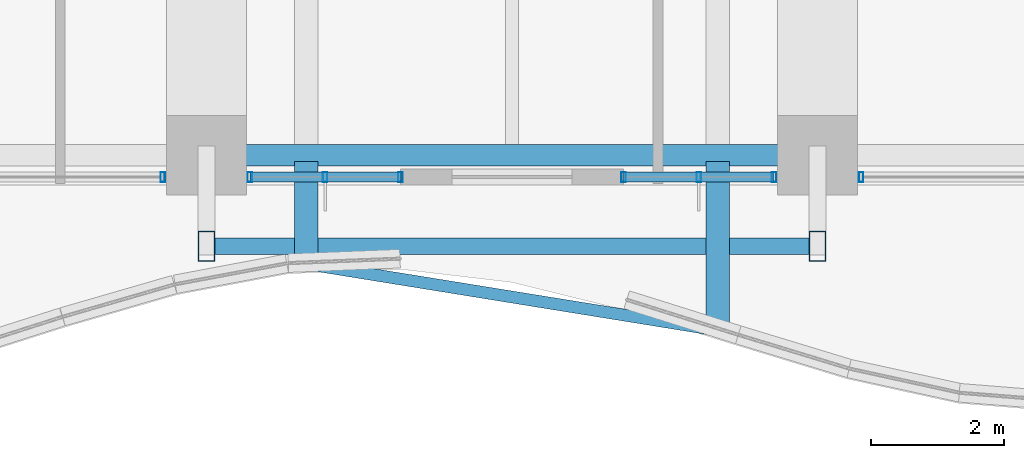
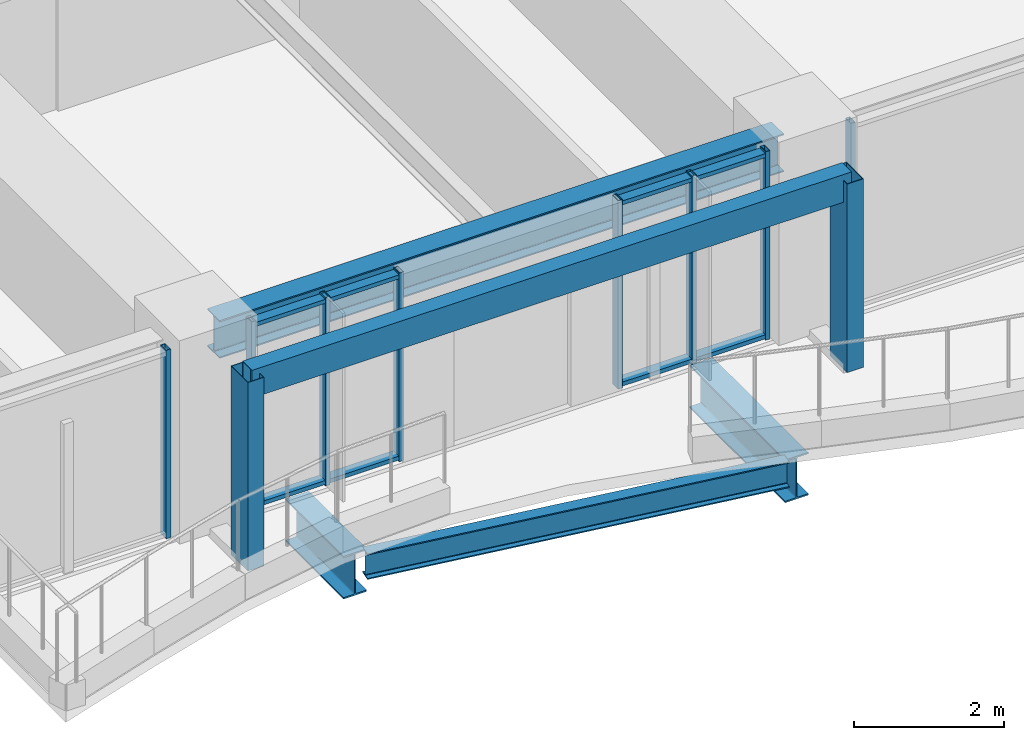
# One storey, part 5 of 37: 15 members, 4 beams, 4 elements without a shape of their own.
"""IFC4 building model written with IfcOpenShell, lengths in metres."""

from ifc_helpers import new_model, si_unit, direction, frame, origin, origin_2d, place, context, subcontext, project, spatial, hollow_rectangle, i_section, extrude, material, material_profile, profile_set, type_object, element, aggregate, save


model = new_model("IFC4")

# Units and contexts
model_context = context("Model", 3, precision=1e-05, world=origin(), true_north=direction((0.0, 1.0)))
body_context = subcontext(model_context, "Body", "Model", "MODEL_VIEW")
ifc_project = project(units=[si_unit("LENGTHUNIT", "METRE"), si_unit("AREAUNIT", "SQUARE_METRE"), si_unit("VOLUMEUNIT", "CUBIC_METRE"), si_unit("PLANEANGLEUNIT", "RADIAN"), si_unit("MASSUNIT", "GRAM", prefix="KILO")], contexts=[model_context])

# Site, building, storey
site_placement = place(None, origin())
site = spatial("IfcSite", under=ifc_project, at=site_placement, CompositionType="ELEMENT")
building_placement = place(site_placement, origin())
building = spatial("IfcBuilding", under=site, at=building_placement, Name="Kolvaren Belvedere", CompositionType="ELEMENT")
storey_placement = place(building_placement, frame((0.0, 0.0, 56.800048828125)))
storey = spatial("IfcBuildingStorey", under=building, at=storey_placement, Name="L16", CompositionType="ELEMENT", Elevation=56.800048828125)

# Beams
ifc_material_1 = material(Name="Structural steel ASTM A992 Grade 50", Category="steel")
ifc_material_profile_1 = material_profile(ifc_material_1, i_section(OverallWidth=0.35498046875, OverallDepth=0.696044921875, WebThickness=0.015380859375, FlangeThickness=0.02490234375, FilletRadius=0.02197265625, at=origin_2d()), Name="W27X146")
ifc_profile_set_1 = profile_set([ifc_material_profile_1], Name="Structural steel ASTM A992 Grade 50")
beam_type_1 = type_object("IfcBeamType", Name="BM-CANT-BAL", PredefinedType="BEAM", material=ifc_profile_set_1)
beam_1_placement = place(storey_placement, frame((-3.10009765625, -21.64501953125, -0.588134765625), z_axis=(0.0, -1.0, 0.0), x_axis=(1.0, 0.0, 0.0)))
element("IfcBeam", 1, at=beam_1_placement, inside=storey, type_object=beam_type_1, Name="L16 Planted Balcony Cantilever BAL-S-1", PredefinedType="BEAM", context=body_context, shape_type="SweptSolid", body=[
    extrude(i_section(OverallWidth=0.35498046875, OverallDepth=0.696044921875, WebThickness=0.015380859375, FlangeThickness=0.02490234375, FilletRadius=0.02197265625, at=origin_2d()), origin(), (0.0, 0.0, 1.0), 1.540283203125),
])
beam_2_placement = place(storey_placement, frame((3.10009765625, -21.64501953125, -0.588134765625), z_axis=(0.0, -1.0, 0.0), x_axis=(1.0, 0.0, 0.0)))
element("IfcBeam", 2, at=beam_2_placement, inside=storey, type_object=beam_type_1, Name="L16 Planted Balcony Cantilever BAL-S-2", PredefinedType="BEAM", context=body_context, shape_type="SweptSolid", body=[
    extrude(i_section(OverallWidth=0.35498046875, OverallDepth=0.696044921875, WebThickness=0.015380859375, FlangeThickness=0.02490234375, FilletRadius=0.02197265625, at=origin_2d()), origin(), (0.0, 0.0, 1.0), 2.541259765625),
])
ifc_material_2 = material(Name="Structural steel ASTM A992 Grade 50", Category="steel")
ifc_material_profile_2 = material_profile(ifc_material_2, i_section(OverallWidth=0.180908203125, OverallDepth=0.4169921875, WebThickness=0.010986328125, FlangeThickness=0.018310546875, FilletRadius=0.013916015625, at=origin_2d()), Name="W16X57")
ifc_profile_set_2 = profile_set([ifc_material_profile_2], Name="Structural steel ASTM A992 Grade 50")
beam_type_2 = type_object("IfcBeamType", Name="BM-EDGE-W16X57", PredefinedType="BEAM", material=ifc_profile_set_2)
beam_3_placement = place(storey_placement, frame((-2.9619140625, -23.207763671875, -0.448486328125), z_axis=(0.9872254354, -0.159329657312, 0.0), x_axis=(0.159329657312, 0.9872254354, 0.0)))
element("IfcBeam", 3, at=beam_3_placement, inside=storey, type_object=beam_type_2, Name="L16 Balcony Tip Header Beam BAL-S", PredefinedType="BEAM", context=body_context, shape_type="SweptSolid", body=[
    extrude(i_section(OverallWidth=0.180908203125, OverallDepth=0.4169921875, WebThickness=0.010986328125, FlangeThickness=0.018310546875, FilletRadius=0.013916015625, at=origin_2d()), origin(), (0.0, 0.0, 1.0), 6.00048828125),
])
ifc_material_3 = material(Name="Structural steel ASTM A992 Grade 50", Category="steel")
ifc_material_profile_3 = material_profile(ifc_material_3, i_section(OverallWidth=0.324951171875, OverallDepth=0.615966796875, WebThickness=0.013916015625, FlangeThickness=0.021484375, FilletRadius=0.02001953125, at=origin_2d()), Name="W24X117")
ifc_profile_set_3 = profile_set([ifc_material_profile_3], Name="Structural steel ASTM A992 Grade 50")
beam_type_3 = type_object("IfcBeamType", Name="BM-SPAN-W24X117", PredefinedType="SPANDREL", material=ifc_profile_set_3)
beam_4_placement = place(storey_placement, frame((-4.330078125, -21.550048828125, 2.751953125), z_axis=(1.0, 0.0, 0.0), x_axis=(0.0, 1.0, 0.0)))
element("IfcBeam", 4, at=beam_4_placement, inside=storey, type_object=beam_type_3, Name="L16 Perimeter Spandrel S2-S3", PredefinedType="SPANDREL", context=body_context, shape_type="SweptSolid", body=[
    extrude(i_section(OverallWidth=0.324951171875, OverallDepth=0.615966796875, WebThickness=0.013916015625, FlangeThickness=0.021484375, FilletRadius=0.02001953125, at=origin_2d()), origin(), (0.0, 0.0, 1.0), 8.66015625),
])

# Curtain wall, member
ifc_material_4 = material(Name="Anodised pale-metal aluminium AA 6063-T6", Category="aluminium")
curtain_wall_type = type_object("IfcCurtainWallType", Name="CW-Z1-LOW", PredefinedType="NOTDEFINED", material=ifc_material_4)
curtain_wall_1_placement = place(storey_placement, origin())
curtain_wall_1 = element("IfcCurtainWall", 5, at=curtain_wall_1_placement, inside=storey, type_object=curtain_wall_type, Name="L16 Unitised Curtain Wall FCW-L16-S1-B1", PredefinedType="NOTDEFINED")
ifc_material_5 = material(Name="Anodised pale-metal aluminium AA 6063-T6", Category="aluminium")
ifc_material_profile_4 = material_profile(ifc_material_5, hollow_rectangle(XDim=0.070068359375, YDim=0.14990234375, WallThickness=0.004150390625, at=origin_2d()), Name="ALU-MUL-150X70")
ifc_profile_set_4 = profile_set([ifc_material_profile_4], Name="Anodised pale-metal aluminium AA 6063-T6")
member_type_1 = type_object("IfcMemberType", Name="CW-MUL-150", PredefinedType="MULLION", material=ifc_profile_set_4)
member_1_placement = place(storey_placement, frame((5.2548828125, -21.8798828125, 0.0), z_axis=(0.0, 0.0, 1.0), x_axis=(1.0, 0.0, 0.0)))
member_1 = element("IfcMember", 6, at=member_1_placement, type_object=member_type_1, Name="FCW-L16-S1-B1 Unitised Mullion 3", PredefinedType="MULLION", context=body_context, shape_type="SweptSolid", body=[
    extrude(hollow_rectangle(XDim=0.070068359375, YDim=0.14990234375, WallThickness=0.004150390625, at=origin_2d()), origin(), (0.0, 0.0, 1.0), 3.06005859375),
])
aggregate(curtain_wall_1, [member_1])

# Curtain wall, members
curtain_wall_2_placement = place(storey_placement, origin())
curtain_wall_2 = element("IfcCurtainWall", 7, at=curtain_wall_2_placement, inside=storey, type_object=curtain_wall_type, Name="L16 Unitised Curtain Wall FCW-L16-S1-B2", PredefinedType="NOTDEFINED")
member_2_placement = place(storey_placement, frame((3.945068359375, -21.8798828125, 0.0), z_axis=(0.0, 0.0, 1.0), x_axis=(1.0, 0.0, 0.0)))
member_2 = element("IfcMember", 8, at=member_2_placement, type_object=member_type_1, Name="FCW-L16-S1-B2 Unitised Mullion 1", PredefinedType="MULLION", context=body_context, shape_type="SweptSolid", body=[
    extrude(hollow_rectangle(XDim=0.070068359375, YDim=0.14990234375, WallThickness=0.004150390625, at=origin_2d()), origin(), (0.0, 0.0, 1.0), 3.06005859375),
])
member_3_placement = place(storey_placement, frame((2.8125, -21.8798828125, 0.0), z_axis=(0.0, 0.0, 1.0), x_axis=(1.0, 0.0, 0.0)))
member_3 = element("IfcMember", 9, at=member_3_placement, type_object=member_type_1, Name="FCW-L16-S1-B2 Unitised Mullion 2", PredefinedType="MULLION", context=body_context, shape_type="SweptSolid", body=[
    extrude(hollow_rectangle(XDim=0.070068359375, YDim=0.14990234375, WallThickness=0.004150390625, at=origin_2d()), origin(), (0.0, 0.0, 1.0), 3.06005859375),
])
member_4_placement = place(storey_placement, frame((1.679931640625, -21.8798828125, 0.0), z_axis=(0.0, 0.0, 1.0), x_axis=(1.0, 0.0, 0.0)))
member_4 = element("IfcMember", 10, at=member_4_placement, type_object=member_type_1, Name="FCW-L16-S1-B2 Unitised Mullion 3", PredefinedType="MULLION", context=body_context, shape_type="SweptSolid", body=[
    extrude(hollow_rectangle(XDim=0.070068359375, YDim=0.14990234375, WallThickness=0.004150390625, at=origin_2d()), origin(), (0.0, 0.0, 1.0), 3.06005859375),
])

curtain_wall_3_placement = place(storey_placement, origin())
curtain_wall_3 = element("IfcCurtainWall", 11, at=curtain_wall_3_placement, inside=storey, type_object=curtain_wall_type, Name="L16 Unitised Curtain Wall FCW-L16-S2-B1", PredefinedType="NOTDEFINED")
member_5_placement = place(storey_placement, frame((-1.679931640625, -21.8798828125, 0.0), z_axis=(0.0, 0.0, 1.0), x_axis=(1.0, 0.0, 0.0)))
member_5 = element("IfcMember", 12, at=member_5_placement, type_object=member_type_1, Name="FCW-L16-S2-B1 Unitised Mullion 1", PredefinedType="MULLION", context=body_context, shape_type="SweptSolid", body=[
    extrude(hollow_rectangle(XDim=0.070068359375, YDim=0.14990234375, WallThickness=0.004150390625, at=origin_2d()), origin(), (0.0, 0.0, 1.0), 3.06005859375),
])
member_6_placement = place(storey_placement, frame((-2.8125, -21.8798828125, 0.0), z_axis=(0.0, 0.0, 1.0), x_axis=(1.0, 0.0, 0.0)))
member_6 = element("IfcMember", 13, at=member_6_placement, type_object=member_type_1, Name="FCW-L16-S2-B1 Unitised Mullion 2", PredefinedType="MULLION", context=body_context, shape_type="SweptSolid", body=[
    extrude(hollow_rectangle(XDim=0.070068359375, YDim=0.14990234375, WallThickness=0.004150390625, at=origin_2d()), origin(), (0.0, 0.0, 1.0), 3.06005859375),
])
member_7_placement = place(storey_placement, frame((-3.945068359375, -21.8798828125, 0.0), z_axis=(0.0, 0.0, 1.0), x_axis=(1.0, 0.0, 0.0)))
member_7 = element("IfcMember", 14, at=member_7_placement, type_object=member_type_1, Name="FCW-L16-S2-B1 Unitised Mullion 3", PredefinedType="MULLION", context=body_context, shape_type="SweptSolid", body=[
    extrude(hollow_rectangle(XDim=0.070068359375, YDim=0.14990234375, WallThickness=0.004150390625, at=origin_2d()), origin(), (0.0, 0.0, 1.0), 3.06005859375),
])

# Curtain wall, member
curtain_wall_4_placement = place(storey_placement, origin())
curtain_wall_4 = element("IfcCurtainWall", 15, at=curtain_wall_4_placement, inside=storey, type_object=curtain_wall_type, Name="L16 Unitised Curtain Wall FCW-L16-S2-B2", PredefinedType="NOTDEFINED")
member_8_placement = place(storey_placement, frame((-5.2548828125, -21.8798828125, 0.0), z_axis=(0.0, 0.0, 1.0), x_axis=(1.0, 0.0, 0.0)))
member_8 = element("IfcMember", 16, at=member_8_placement, type_object=member_type_1, Name="FCW-L16-S2-B2 Unitised Mullion 1", PredefinedType="MULLION", context=body_context, shape_type="SweptSolid", body=[
    extrude(hollow_rectangle(XDim=0.070068359375, YDim=0.14990234375, WallThickness=0.004150390625, at=origin_2d()), origin(), (0.0, 0.0, 1.0), 3.06005859375),
])
aggregate(curtain_wall_4, [member_8])

# Member
ifc_material_6 = material(Name="Anodised pale-metal aluminium AA 6063-T6", Category="aluminium")
ifc_material_profile_5 = material_profile(ifc_material_6, hollow_rectangle(XDim=0.06494140625, YDim=0.14990234375, WallThickness=0.00390625, at=origin_2d()), Name="ALU-TRN-150X65")
ifc_profile_set_5 = profile_set([ifc_material_profile_5], Name="Anodised pale-metal aluminium AA 6063-T6")
member_type_2 = type_object("IfcMemberType", Name="CW-TRN-150", PredefinedType="USERDEFINED", material=ifc_profile_set_5)
member_9_placement = place(storey_placement, frame((3.945068359375, -21.8798828125, 0.06005859375), z_axis=(-1.0, 0.0, 0.0), x_axis=(0.0, 0.0, 1.0)))
member_9 = element("IfcMember", 17, at=member_9_placement, type_object=member_type_2, Name="FCW-L16-S1-B2 Sill Transom", ObjectType="TRANSOM", PredefinedType="USERDEFINED", context=body_context, shape_type="SweptSolid", body=[
    extrude(hollow_rectangle(XDim=0.06494140625, YDim=0.14990234375, WallThickness=0.00390625, at=origin_2d()), origin(), (0.0, 0.0, 1.0), 2.26513671875),
])

member_10_placement = place(storey_placement, frame((3.945068359375, -21.8798828125, 3.0), z_axis=(-1.0, 0.0, 0.0), x_axis=(0.0, 0.0, 1.0)))
member_10 = element("IfcMember", 18, at=member_10_placement, type_object=member_type_2, Name="FCW-L16-S1-B2 Head Transom", ObjectType="TRANSOM", PredefinedType="USERDEFINED", context=body_context, shape_type="SweptSolid", body=[
    extrude(hollow_rectangle(XDim=0.06494140625, YDim=0.14990234375, WallThickness=0.00390625, at=origin_2d()), origin(), (0.0, 0.0, 1.0), 2.26513671875),
])

aggregate(curtain_wall_2, [member_2, member_3, member_4, member_9, member_10])

member_11_placement = place(storey_placement, frame((-1.679931640625, -21.8798828125, 0.06005859375), z_axis=(-1.0, 0.0, 0.0), x_axis=(0.0, 0.0, 1.0)))
member_11 = element("IfcMember", 19, at=member_11_placement, type_object=member_type_2, Name="FCW-L16-S2-B1 Sill Transom", ObjectType="TRANSOM", PredefinedType="USERDEFINED", context=body_context, shape_type="SweptSolid", body=[
    extrude(hollow_rectangle(XDim=0.06494140625, YDim=0.14990234375, WallThickness=0.00390625, at=origin_2d()), origin(), (0.0, 0.0, 1.0), 2.26513671875),
])

member_12_placement = place(storey_placement, frame((-1.679931640625, -21.8798828125, 3.0), z_axis=(-1.0, 0.0, 0.0), x_axis=(0.0, 0.0, 1.0)))
member_12 = element("IfcMember", 20, at=member_12_placement, type_object=member_type_2, Name="FCW-L16-S2-B1 Head Transom", ObjectType="TRANSOM", PredefinedType="USERDEFINED", context=body_context, shape_type="SweptSolid", body=[
    extrude(hollow_rectangle(XDim=0.06494140625, YDim=0.14990234375, WallThickness=0.00390625, at=origin_2d()), origin(), (0.0, 0.0, 1.0), 2.26513671875),
])

aggregate(curtain_wall_3, [member_5, member_6, member_7, member_11, member_12])

# Members
ifc_material_7 = material(Name="Anodised pale-metal aluminium AA 6063-T6", Category="aluminium")
ifc_material_profile_6 = material_profile(ifc_material_7, hollow_rectangle(XDim=0.25, YDim=0.449951171875, WallThickness=0.008544921875, at=origin_2d()), Name="ALU-PF-450X250")
ifc_profile_set_6 = profile_set([ifc_material_profile_6], Name="Anodised pale-metal aluminium AA 6063-T6")
member_type_3 = type_object("IfcMemberType", Name="PF-FRAME-450", PredefinedType="USERDEFINED", material=ifc_profile_set_6)
for number, where, z_axis, x_axis, name in (
    (21, (4.60009765625, -22.919921875, 0.0), (0.0, 0.0, 1.0), (1.0, 0.0, 0.0), "L16 Outboard Picture-Frame Vertical S1"),
    (22, (-4.60009765625, -22.919921875, 0.0), (0.0, 0.0, 1.0), (1.0, 0.0, 0.0), "L16 Outboard Picture-Frame Vertical S2"),
):
    element("IfcMember", number, at=place(storey_placement, frame(where, z_axis=z_axis, x_axis=x_axis)), inside=storey, type_object=member_type_3, Name=name, ObjectType="PICTURE FRAME FIN", PredefinedType="USERDEFINED", context=body_context, shape_type="SweptSolid", body=[
        extrude(hollow_rectangle(XDim=0.25, YDim=0.449951171875, WallThickness=0.008544921875, at=origin_2d()), origin(), (0.0, 0.0, 1.0), 3.06005859375),
    ])
member_13_placement = place(storey_placement, frame((4.60009765625, -22.919921875, 2.929931640625), z_axis=(-1.0, 0.0, 0.0), x_axis=(0.0, -1.0, 0.0)))
element("IfcMember", 23, at=member_13_placement, inside=storey, type_object=member_type_3, Name="L16 Outboard Picture-Frame Head S", ObjectType="PICTURE FRAME FIN", PredefinedType="USERDEFINED", context=body_context, shape_type="SweptSolid", body=[
    extrude(hollow_rectangle(XDim=0.25, YDim=0.449951171875, WallThickness=0.008544921875, at=origin_2d()), origin(), (0.0, 0.0, 1.0), 9.2001953125),
])

save(model, "model.ifc")
